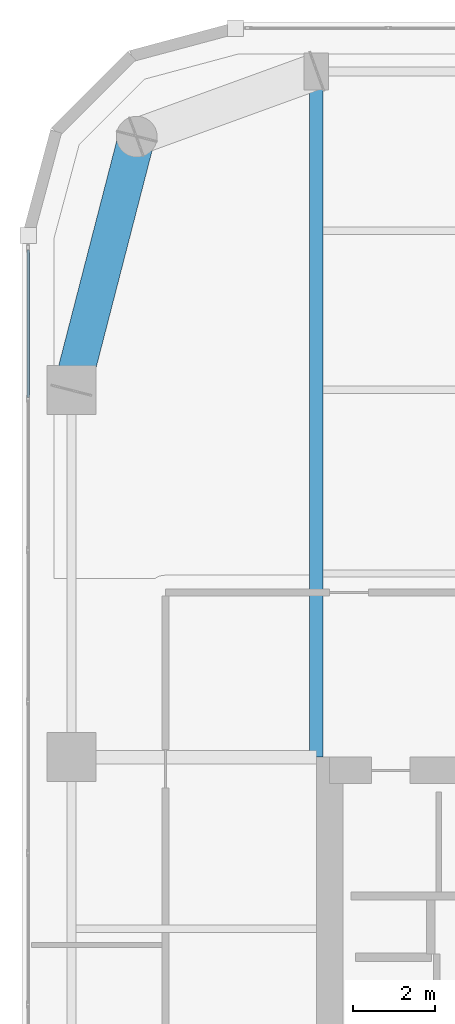
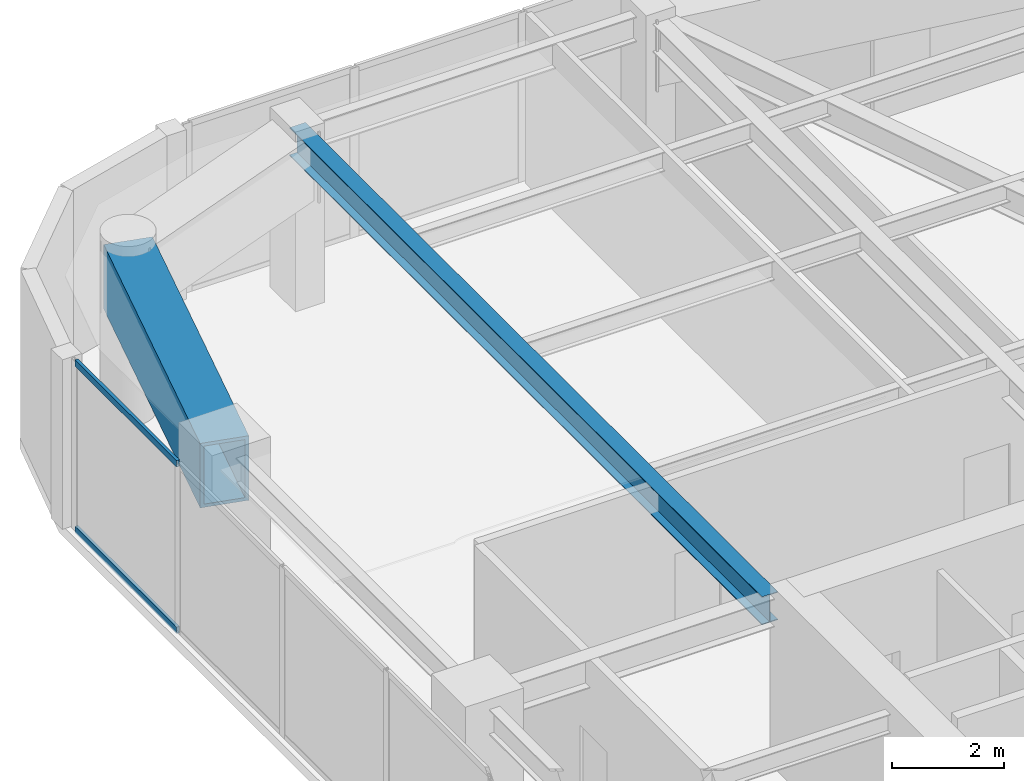
# One storey, part 7 of 21: 2 beams, 2 members, 1 element without a shape of its own.
"""IFC4 building model written with IfcOpenShell, lengths in metres."""

from ifc_helpers import new_model, si_unit, direction, frame, origin, origin_2d, place, context, subcontext, project, spatial, hollow_rectangle, i_section, extrude, material, layer, layer_set, material_profile, profile_set, type_object, element, aggregate, save


model = new_model("IFC4")

# Units and contexts
model_context = context("Model", 3, precision=1e-05, world=origin(), true_north=direction((0.0, 1.0)))
body_context = subcontext(model_context, "Body", "Model", "MODEL_VIEW")
ifc_project = project(units=[si_unit("LENGTHUNIT", "METRE"), si_unit("AREAUNIT", "SQUARE_METRE"), si_unit("VOLUMEUNIT", "CUBIC_METRE"), si_unit("PLANEANGLEUNIT", "RADIAN"), si_unit("MASSUNIT", "GRAM", prefix="KILO")], contexts=[model_context])

# Site, building, storey
site_placement = place(None, origin())
site = spatial("IfcSite", under=ifc_project, at=site_placement, CompositionType="ELEMENT")
building_placement = place(site_placement, origin())
building = spatial("IfcBuilding", under=site, at=building_placement, Name="Kiyonajd Concourse Tower", CompositionType="ELEMENT")
storey_placement = place(building_placement, frame((0.0, 0.0, 227.10009765625)))
storey = spatial("IfcBuildingStorey", under=building, at=storey_placement, Name="L57", CompositionType="ELEMENT", Elevation=227.10009765625)

# Beams
ifc_material_1 = material(Name="Steel ASTM A992 Grade 50", Category="steel")
ifc_material_profile_1 = material_profile(ifc_material_1, i_section(OverallWidth=0.323974609375, OverallDepth=0.611083984375, WebThickness=0.0126953125, FlangeThickness=0.01904296875, at=origin_2d()), Name="W610X155")
ifc_profile_set_1 = profile_set([ifc_material_profile_1], Name="Steel ASTM A992 Grade 50")
beam_type_1 = type_object("IfcBeamType", Name="BM-TWR-610B", PredefinedType="BEAM", material=ifc_profile_set_1)
beam_1_placement = place(storey_placement, frame((32.39990234375, 44.39990234375, 3.37451171875), z_axis=(0.0, 1.0, 0.0), x_axis=(-1.0, 0.0, 0.0)))
element("IfcBeam", 1, at=beam_1_placement, inside=storey, type_object=beam_type_1, Name="L57 North Lease Girder", PredefinedType="BEAM", context=body_context, shape_type="SweptSolid", body=[
    extrude(i_section(OverallWidth=0.323974609375, OverallDepth=0.611083984375, WebThickness=0.0126953125, FlangeThickness=0.01904296875, at=origin_2d()), origin(), (0.0, 0.0, 1.0), 16.800048828125),
])
ifc_material_2 = material(Name="Steel ASTM A572 Grade 50", Category="steel")
ifc_material_profile_2 = material_profile(ifc_material_2, hollow_rectangle(XDim=0.89990234375, YDim=1.39990234375, WallThickness=0.070068359375, at=origin_2d()), Name="BOX-1400x900x70")
ifc_profile_set_2 = profile_set([ifc_material_profile_2], Name="Steel ASTM A572 Grade 50")
beam_type_2 = type_object("IfcBeamType", Name="BM-XFER-1400", PredefinedType="BEAM", material=ifc_profile_set_2)
beam_2_placement = place(storey_placement, frame((28.0, 59.60009765625, 2.97998046875), z_axis=(-0.249884937687, -0.968275538221, 0.0), x_axis=(0.968275538221, -0.249884937687, 0.0)))
element("IfcBeam", 2, at=beam_2_placement, inside=storey, type_object=beam_type_2, Name="L57 Perimeter Bundled Tube Spandrel", PredefinedType="BEAM", context=body_context, shape_type="SweptSolid", body=[
    extrude(hollow_rectangle(XDim=0.89990234375, YDim=1.39990234375, WallThickness=0.070068359375, at=origin_2d()), origin(), (0.0, 0.0, 1.0), 6.4033203125),
])

# Curtain wall, members
ifc_material_3 = material(Name="Thermally Broken Anodised Aluminium", Category="aluminium")
ifc_layer = layer(ifc_material_3, 0.179931640625)
ifc_layer_set = layer_set([ifc_layer], Name="Thermally Broken Anodised Aluminium")
curtain_wall_type = type_object("IfcCurtainWallType", Name="CW-SYS-04", PredefinedType="NOTDEFINED", material=ifc_layer_set)
curtain_wall_placement = place(storey_placement, origin())
curtain_wall = element("IfcCurtainWall", 3, at=curtain_wall_placement, inside=storey, type_object=curtain_wall_type, Name="L57 Unitised Curtain Wall CW4", PredefinedType="NOTDEFINED")
ifc_material_profile_3 = material_profile(ifc_material_3, hollow_rectangle(XDim=0.06494140625, YDim=0.139892578125, WallThickness=0.00390625, at=origin_2d()), Name="TRAN-65x140")
ifc_profile_set_3 = profile_set([ifc_material_profile_3], Name="Thermally Broken Anodised Aluminium")
member_type = type_object("IfcMemberType", Name="MB-CW-TRAN1", PredefinedType="USERDEFINED", material=ifc_profile_set_3)
member_1_placement = place(storey_placement, frame((25.340087890625, 53.2138671875, 0.032470703125), z_axis=(0.0, 1.0, 0.0), x_axis=(-1.0, 0.0, 0.0)))
member_1 = element("IfcMember", 4, at=member_1_placement, type_object=member_type, Name="CW4 transom 6.1", ObjectType="TRANSOM", PredefinedType="USERDEFINED", context=body_context, shape_type="SweptSolid", body=[
    extrude(hollow_rectangle(XDim=0.06494140625, YDim=0.139892578125, WallThickness=0.00390625, at=origin_2d()), origin(), (0.0, 0.0, 1.0), 3.61279296875),
])
member_2_placement = place(storey_placement, frame((25.340087890625, 53.2138671875, 3.6474609375), z_axis=(0.0, 1.0, 0.0), x_axis=(-1.0, 0.0, 0.0)))
member_2 = element("IfcMember", 5, at=member_2_placement, type_object=member_type, Name="CW4 transom 6.2", ObjectType="TRANSOM", PredefinedType="USERDEFINED", context=body_context, shape_type="SweptSolid", body=[
    extrude(hollow_rectangle(XDim=0.06494140625, YDim=0.139892578125, WallThickness=0.00390625, at=origin_2d()), origin(), (0.0, 0.0, 1.0), 3.61279296875),
])
aggregate(curtain_wall, [member_1, member_2])

save(model, "model.ifc")
